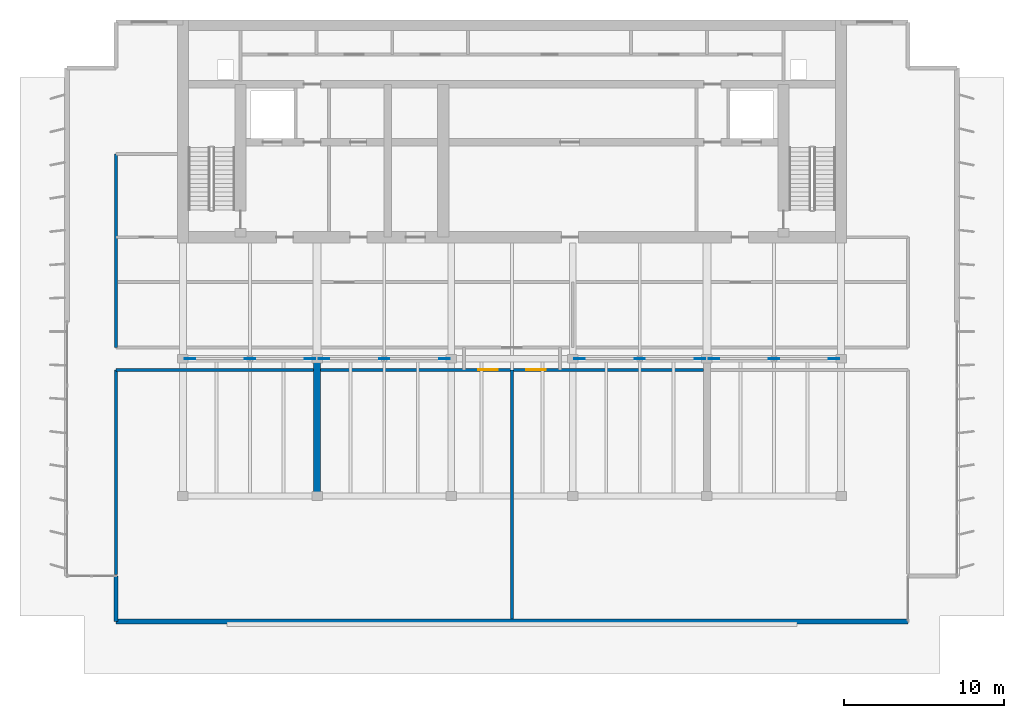
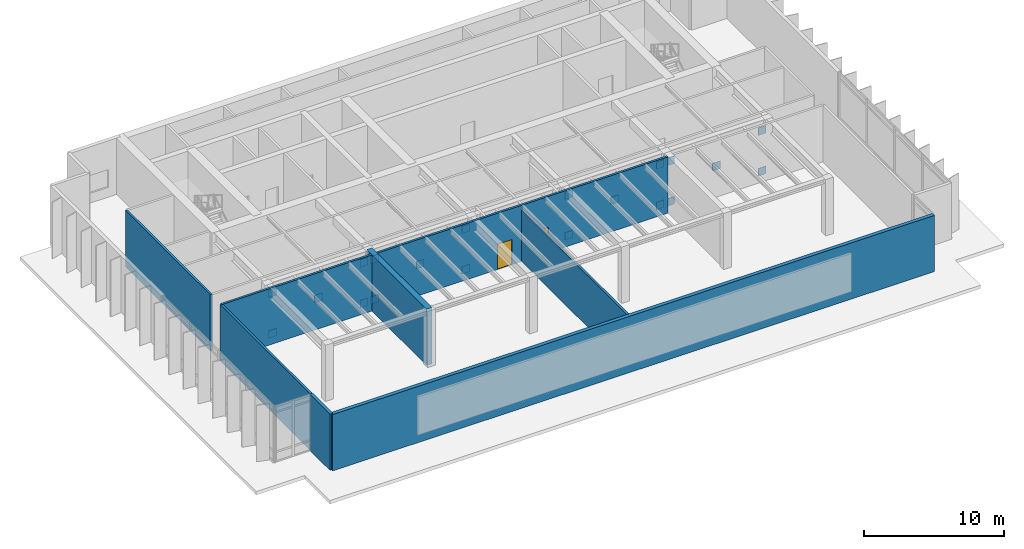
# One storey, part 5 of 12: 20 plates, 8 walls, 2 doors, 2 openings.
"""IFC4 building model written with IfcOpenShell, lengths in metres."""

from ifc_helpers import new_model, si_unit, direction, frame, frame_2d, origin, origin_2d, place, context, subcontext, project, spatial, rectangle, extrude, material, layer, layer_set, type_object, element, fill, save


model = new_model("IFC4")

# Units and contexts
model_context = context("Model", 3, precision=1e-05, world=origin(), true_north=direction((0.0, 1.0)))
body_context = subcontext(model_context, "Body", "Model", "MODEL_VIEW")
ifc_project = project(units=[si_unit("LENGTHUNIT", "METRE"), si_unit("AREAUNIT", "SQUARE_METRE"), si_unit("VOLUMEUNIT", "CUBIC_METRE"), si_unit("PLANEANGLEUNIT", "RADIAN"), si_unit("MASSUNIT", "GRAM", prefix="KILO")], contexts=[model_context])

# Site, building, storey
site_placement = place(None, origin())
site = spatial("IfcSite", under=ifc_project, at=site_placement, CompositionType="ELEMENT")
building_placement = place(site_placement, origin())
building = spatial("IfcBuilding", under=site, at=building_placement, Name="Caelmar Bay Residences", CompositionType="ELEMENT")
storey_placement = place(building_placement, frame((0.0, 0.0, 274.199951171875)))
storey = spatial("IfcBuildingStorey", under=building, at=storey_placement, Name="L77", CompositionType="ELEMENT", Elevation=274.199951171875)

# Plates
ifc_material_1 = material(Name="Steel ASTM A572 Grade 50", Category="steel")
ifc_layer_1 = layer(ifc_material_1, 0.044921875)
ifc_layer_set_1 = layer_set([ifc_layer_1], Name="Steel ASTM A572 Grade 50")
plate_type = type_object("IfcPlateType", Name="PLT-GUS-45", PredefinedType="USERDEFINED", material=ifc_layer_set_1)
for number, where, z_axis, x_axis, name in (
    (1, (22.5, 29.39990234375, 1.760009765625), (0.0, 0.0, 1.0), (1.0, 0.0, 0.0), "L77 Structural Node Gusset Plate PLT-CRN-L77-01X"),
    (2, (18.735107421875, 29.39990234375, -0.0048828125), (0.0, 0.0, 1.0), (1.0, 0.0, 0.0), "L77 Structural Node Gusset Plate PLT-CRN-L77-01BL"),
    (3, (26.264892578125, 29.39990234375, -0.0048828125), (0.0, 0.0, 1.0), (1.0, 0.0, 0.0), "L77 Structural Node Gusset Plate PLT-CRN-L77-01BR"),
    (4, (18.735107421875, 29.39990234375, 3.525146484375), (0.0, 0.0, 1.0), (1.0, 0.0, 0.0), "L77 Structural Node Gusset Plate PLT-CRN-L77-01TL"),
    (5, (26.264892578125, 29.39990234375, 3.525146484375), (0.0, 0.0, 1.0), (1.0, 0.0, 0.0), "L77 Structural Node Gusset Plate PLT-CRN-L77-01TR"),
    (6, (30.89990234375, 29.39990234375, 1.760009765625), (0.0, 0.0, 1.0), (1.0, 0.0, 0.0), "L77 Structural Node Gusset Plate PLT-CRN-L77-02X"),
    (7, (27.135009765625, 29.39990234375, -0.0048828125), (0.0, 0.0, 1.0), (1.0, 0.0, 0.0), "L77 Structural Node Gusset Plate PLT-CRN-L77-02BL"),
    (8, (34.6650390625, 29.39990234375, -0.0048828125), (0.0, 0.0, 1.0), (1.0, 0.0, 0.0), "L77 Structural Node Gusset Plate PLT-CRN-L77-02BR"),
    (9, (27.135009765625, 29.39990234375, 3.525146484375), (0.0, 0.0, 1.0), (1.0, 0.0, 0.0), "L77 Structural Node Gusset Plate PLT-CRN-L77-02TL"),
    (10, (34.6650390625, 29.39990234375, 3.525146484375), (0.0, 0.0, 1.0), (1.0, 0.0, 0.0), "L77 Structural Node Gusset Plate PLT-CRN-L77-02TR"),
    (11, (46.89990234375, 29.39990234375, 1.760009765625), (0.0, 0.0, 1.0), (1.0, 0.0, 0.0), "L77 Structural Node Gusset Plate PLT-CRN-L77-03X"),
    (12, (43.135009765625, 29.39990234375, -0.0048828125), (0.0, 0.0, 1.0), (1.0, 0.0, 0.0), "L77 Structural Node Gusset Plate PLT-CRN-L77-03BL"),
    (13, (50.6650390625, 29.39990234375, -0.0048828125), (0.0, 0.0, 1.0), (1.0, 0.0, 0.0), "L77 Structural Node Gusset Plate PLT-CRN-L77-03BR"),
    (14, (43.135009765625, 29.39990234375, 3.525146484375), (0.0, 0.0, 1.0), (1.0, 0.0, 0.0), "L77 Structural Node Gusset Plate PLT-CRN-L77-03TL"),
    (15, (50.6650390625, 29.39990234375, 3.525146484375), (0.0, 0.0, 1.0), (1.0, 0.0, 0.0), "L77 Structural Node Gusset Plate PLT-CRN-L77-03TR"),
    (16, (55.300048828125, 29.39990234375, 1.760009765625), (0.0, 0.0, 1.0), (1.0, 0.0, 0.0), "L77 Structural Node Gusset Plate PLT-CRN-L77-04X"),
    (17, (51.534912109375, 29.39990234375, -0.0048828125), (0.0, 0.0, 1.0), (1.0, 0.0, 0.0), "L77 Structural Node Gusset Plate PLT-CRN-L77-04BL"),
    (18, (59.06494140625, 29.39990234375, -0.0048828125), (0.0, 0.0, 1.0), (1.0, 0.0, 0.0), "L77 Structural Node Gusset Plate PLT-CRN-L77-04BR"),
    (19, (51.534912109375, 29.39990234375, 3.525146484375), (0.0, 0.0, 1.0), (1.0, 0.0, 0.0), "L77 Structural Node Gusset Plate PLT-CRN-L77-04TL"),
    (20, (59.06494140625, 29.39990234375, 3.525146484375), (0.0, 0.0, 1.0), (1.0, 0.0, 0.0), "L77 Structural Node Gusset Plate PLT-CRN-L77-04TR"),
):
    element("IfcPlate", number, at=place(storey_placement, frame(where, z_axis=z_axis, x_axis=x_axis)), inside=storey, type_object=plate_type, Name=name, ObjectType="GUSSET_PLATE", PredefinedType="USERDEFINED", context=body_context, shape_type="SweptSolid", body=[
        extrude(rectangle(XDim=0.64990234375, YDim=0.044921875, at=origin_2d()), origin(), (0.0, 0.0, 1.0), 0.64990234375),
    ])

# Walls
ifc_material_2 = material(Name="Concrete f'c 55 MPa (8,000 psi)", Category="concrete")
ifc_layer_2 = layer(ifc_material_2, 0.449951171875)
ifc_layer_set_2 = layer_set([ifc_layer_2], Name="Concrete f'c 55 MPa (8,000 psi)")
wall_type_1 = type_object("IfcWallType", Name="SW-XSLB-450", PredefinedType="SHEAR", material=ifc_layer_set_2)
wall_1_placement = place(storey_placement, frame((26.699951171875, 20.800048828125, 0.0), z_axis=(0.0, 0.0, 1.0), x_axis=(0.0, 1.0, 0.0)))
element("IfcWall", 21, at=wall_1_placement, inside=storey, type_object=wall_type_1, Name="L77 Transverse Cross-Slab Shear Wall W5", PredefinedType="SHEAR", context=body_context, shape_type="SweptSolid", body=[
    extrude(rectangle(XDim=8.599853515625, YDim=0.449951171875, at=frame_2d((4.2998046875, 0.0))), origin(), (0.0, 0.0, 1.0), 4.900146484375),
])
ifc_material_3 = material(Name="Double-stud acoustic fire-rated gypsum partition 180 mm")
ifc_layer_3 = layer(ifc_material_3, 0.179931640625)
ifc_layer_set_3 = layer_set([ifc_layer_3], Name="Double-stud acoustic fire-rated gypsum partition 180 mm")
wall_type_2 = type_object("IfcWallType", Name="W-COR-200", PredefinedType="PARTITIONING", material=ifc_layer_set_3)
wall_2_placement = place(storey_placement, frame((14.10009765625, 15.885009765625, 0.0), z_axis=(0.0, 0.0, 1.0), x_axis=(0.0, 1.0, 0.0)))
element("IfcWall", 22, at=wall_2_placement, inside=storey, type_object=wall_type_2, Name="L77 Partition Wall V001", PredefinedType="PARTITIONING", context=body_context, shape_type="SweptSolid", body=[
    extrude(rectangle(XDim=12.81494140625, YDim=0.179931640625, at=frame_2d((6.407470703125, 0.0))), origin(), (0.0, 0.0, 1.0), 4.900146484375),
])
wall_3_placement = place(storey_placement, frame((14.10009765625, 30.10009765625, 0.0), z_axis=(0.0, 0.0, 1.0), x_axis=(0.0, 1.0, 0.0)))
element("IfcWall", 23, at=wall_3_placement, inside=storey, type_object=wall_type_2, Name="L77 Partition Wall V002", PredefinedType="PARTITIONING", context=body_context, shape_type="SweptSolid", body=[
    extrude(rectangle(XDim=12.099853515625, YDim=0.179931640625, at=frame_2d((6.0498046875, 0.0))), origin(), (0.0, 0.0, 1.0), 4.900146484375),
])
wall_4_placement = place(storey_placement, frame((38.89990234375, 13.094970703125, 0.0), z_axis=(0.0, 0.0, 1.0), x_axis=(0.0, 1.0, 0.0)))
element("IfcWall", 24, at=wall_4_placement, inside=storey, type_object=wall_type_2, Name="L77 Partition Wall V011", PredefinedType="PARTITIONING", context=body_context, shape_type="SweptSolid", body=[
    extrude(rectangle(XDim=15.60498046875, YDim=0.179931640625, at=frame_2d((7.802490234375, 0.0))), origin(), (0.0, 0.0, 1.0), 4.47900390625),
])
wall_5_placement = place(storey_placement, frame((14.10009765625, 28.699951171875, 0.0), z_axis=(0.0, 0.0, 1.0), x_axis=(1.0, 0.0, 0.0)))
element("IfcWall", 25, at=wall_5_placement, inside=storey, type_object=wall_type_2, Name="L77 Partition Wall H022", PredefinedType="PARTITIONING", context=body_context, shape_type="SweptSolid", body=[
    extrude(rectangle(XDim=12.3798828125, YDim=0.179931640625, at=frame_2d((6.18994140625, 0.0))), origin(), (0.0, 0.0, 1.0), 4.900146484375),
])

# Wall, openings, doors
wall_6_placement = place(storey_placement, frame((26.919921875, 28.699951171875, 0.0), z_axis=(0.0, 0.0, 1.0), x_axis=(1.0, 0.0, 0.0)))
wall_6 = element("IfcWall", 26, at=wall_6_placement, inside=storey, type_object=wall_type_2, Name="L77 Partition Wall H023", PredefinedType="PARTITIONING", context=body_context, shape_type="SweptSolid", body=[
    extrude(rectangle(XDim=23.9599609375, YDim=0.179931640625, at=frame_2d((11.97998046875, 0.0))), origin(), (0.0, 0.0, 1.0), 4.900146484375),
])
opening_1_placement = place(wall_6_placement, frame((9.8798828125, 0.0, 0.0)))
opening_1 = element("IfcOpeningElement", 27, at=opening_1_placement, cuts=wall_6, Name="Opening D-L77-125", PredefinedType="OPENING", context=body_context, shape_type="SweptSolid", body=[
    extrude(rectangle(XDim=1.199951171875, YDim=2.199951171875, at=frame_2d((0.60009765625, 1.10009765625))), frame((0.0, 0.099853515625, 0.0), z_axis=(0.0, -1.0, 0.0), x_axis=(1.0, 0.0, 0.0)), (0.0, 0.0, 1.0), 0.199951171875),
])
opening_2_placement = place(wall_6_placement, frame((12.8798828125, 0.0, 0.0)))
opening_2 = element("IfcOpeningElement", 28, at=opening_2_placement, cuts=wall_6, Name="Opening D-L77-126", PredefinedType="OPENING", context=body_context, shape_type="SweptSolid", body=[
    extrude(rectangle(XDim=1.199951171875, YDim=2.199951171875, at=frame_2d((0.60009765625, 1.10009765625))), frame((0.0, 0.099853515625, 0.0), z_axis=(0.0, -1.0, 0.0), x_axis=(1.0, 0.0, 0.0)), (0.0, 0.0, 1.0), 0.199951171875),
])
ifc_material_4 = material(Name="Fire-rated steel and walnut architectural door assembly", Category="steel")
ifc_layer_4 = layer(ifc_material_4, 0.050048828125)
ifc_layer_set_4 = layer_set([ifc_layer_4], Name="Fire-rated steel and walnut architectural door assembly")
door_type = type_object("IfcDoorType", Name="D-PLANT-1200", OperationType="NOTDEFINED", PredefinedType="DOOR", material=ifc_layer_set_4)
door_1_placement = place(opening_1_placement, origin())
door_1 = element("IfcDoor", 29, at=door_1_placement, inside=storey, type_object=door_type, Name="L77 Crown Heat Recovery Plant Room L77 Door", OperationType="SINGLE_SWING_RIGHT", OverallHeight=2.199951171875, OverallWidth=1.199951171875, PredefinedType="DOOR", context=body_context, shape_type="SweptSolid", body=[
    extrude(rectangle(XDim=1.199951171875, YDim=2.199951171875, at=frame_2d((0.60009765625, 1.10009765625))), frame((0.0, 0.02490234375, 0.0), z_axis=(0.0, -1.0, 0.0), x_axis=(1.0, 0.0, 0.0)), (0.0, 0.0, 1.0), 0.050048828125),
])
fill(opening_1, door_1)
door_2_placement = place(opening_2_placement, origin())
door_2 = element("IfcDoor", 30, at=door_2_placement, inside=storey, type_object=door_type, Name="L77 Crown Electrical Switchgear Plant Room L77 Door", OperationType="SINGLE_SWING_LEFT", OverallHeight=2.199951171875, OverallWidth=1.199951171875, PredefinedType="DOOR", context=body_context, shape_type="SweptSolid", body=[
    extrude(rectangle(XDim=1.199951171875, YDim=2.199951171875, at=frame_2d((0.60009765625, 1.10009765625))), frame((0.0, 0.02490234375, 0.0), z_axis=(0.0, -1.0, 0.0), x_axis=(1.0, 0.0, 0.0)), (0.0, 0.0, 1.0), 0.050048828125),
])
fill(opening_2, door_2)

# Walls
ifc_material_5 = material(Name="Precast concrete f'c 40 MPa (6,000 psi)", Category="concrete")
ifc_layer_5 = layer(ifc_material_5, 0.25)
ifc_layer_set_5 = layer_set([ifc_layer_5], Name="Precast concrete f'c 40 MPa (6,000 psi)")
wall_type_3 = type_object("IfcWallType", Name="W-EXT-250", PredefinedType="ELEMENTEDWALL", material=ifc_layer_set_5)
wall_7_placement = place(storey_placement, frame((14.10009765625, 15.800048828125, 0.0), z_axis=(0.0, 0.0, 1.0), x_axis=(0.0, -1.0, 0.0)))
element("IfcWall", 31, at=wall_7_placement, inside=storey, type_object=wall_type_3, Name="L77 SW Notch Return Wall", PredefinedType="ELEMENTEDWALL", context=body_context, shape_type="SweptSolid", body=[
    extrude(rectangle(XDim=2.85009765625, YDim=0.25, at=frame_2d((1.425048828125, 0.0))), origin(), (0.0, 0.0, 1.0), 4.900146484375),
])
ifc_layer_6 = layer(ifc_material_5, 0.300048828125)
ifc_layer_set_6 = layer_set([ifc_layer_6], Name="Precast concrete f'c 40 MPa (6,000 psi)")
wall_type_4 = type_object("IfcWallType", Name="W-EXT-300", PredefinedType="STANDARD", material=ifc_layer_set_6)
wall_8_placement = place(storey_placement, frame((63.699951171875, 12.949951171875, 0.0), z_axis=(0.0, 0.0, 1.0), x_axis=(-1.0, 0.0, 0.0)))
element("IfcWall", 32, at=wall_8_placement, inside=storey, type_object=wall_type_4, Name="L77 South Bayfront Exterior Wall", PredefinedType="STANDARD", context=body_context, shape_type="SweptSolid", body=[
    extrude(rectangle(XDim=49.599853515625, YDim=0.300048828125, at=frame_2d((24.7998046875, 0.0))), origin(), (0.0, 0.0, 1.0), 4.900146484375),
])

save(model, "model.ifc")
